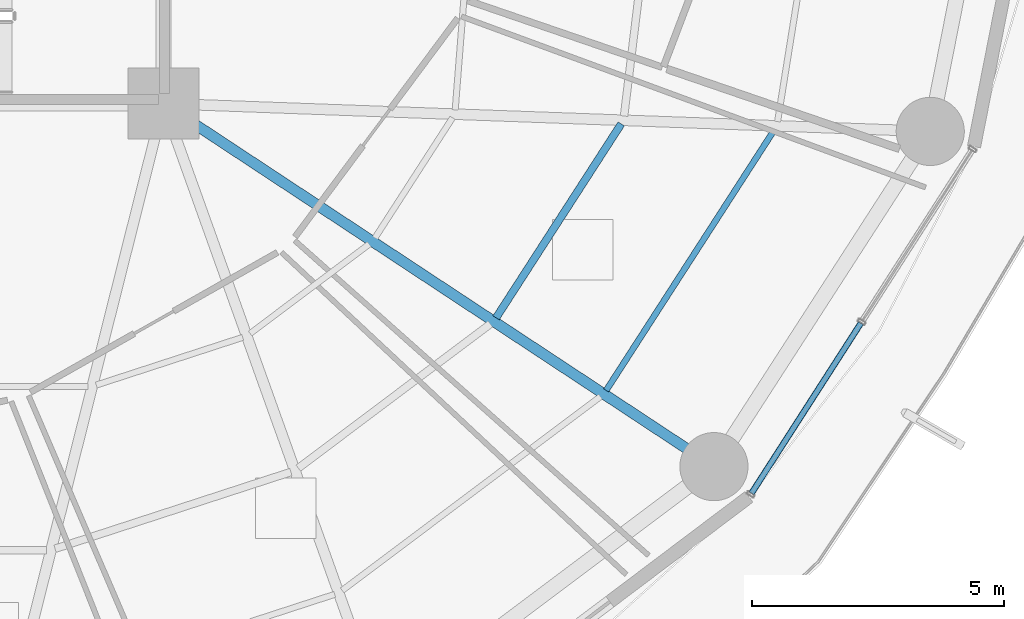
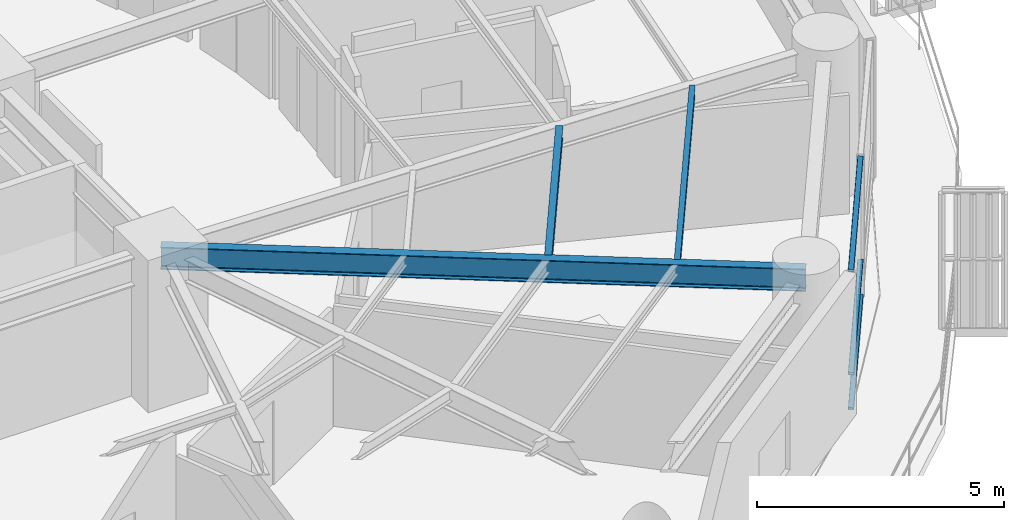
# One storey, part 12 of 35: 3 beams, 3 members, 1 element without a shape of its own.
"""IFC4 building model written with IfcOpenShell, lengths in metres."""

import ifcopenshell
import ifcopenshell.guid

model = None  # the IFC model being written
_history = None  # IfcOwnerHistory: only IFC2X3 demands one
_inside = {}  # id of a spatial element -> (the spatial element, [elements in it])
_under = {}  # id of a project, library or spatial element -> (it, [spatial elements below it])
_declared = {}  # id of a project -> (the project, [libraries it declares])
_typed = {}  # id of a type object -> (the type object, [elements of that type])
_made_of = {}  # id of a material, layer set ... -> (it, [elements and type objects made of it])


def new_model(schema):
    """Start an empty IFC model of exactly this schema.

    Asked for "IFC4X3", IfcOpenShell would pick the latest addendum, in which some entities
    have other attributes; the version numbers below select the first issue.
    IFC2X3 requires an IfcOwnerHistory on every rooted entity: one is made here for all.
    """
    global model, _history
    if schema == "IFC4X3":
        model = ifcopenshell.file(schema_version=(4, 3, 0, 0))
    else:
        model = ifcopenshell.file(schema=schema)
    _inside.clear()
    _under.clear()
    _declared.clear()
    _typed.clear()
    _made_of.clear()
    _history = None
    if model.schema == "IFC2X3":
        org = make("IfcOrganization", Name="unknown")
        user = make(
            "IfcPersonAndOrganization",
            ThePerson=make("IfcPerson", FamilyName="unknown"),
            TheOrganization=org,
        )
        app = make(
            "IfcApplication",
            ApplicationDeveloper=org,
            Version="unknown",
            ApplicationFullName="unknown",
            ApplicationIdentifier="unknown",
        )
        _history = make(
            "IfcOwnerHistory",
            OwningUser=user,
            OwningApplication=app,
            ChangeAction="ADDED",
            CreationDate=0,
        )
    return model


def make(cls, **values):
    """One entity of the class cls with the attributes given. An attribute that is None is left unset."""
    return model.create_entity(
        cls, **{name: value for name, value in values.items() if value is not None}
    )


def rooted(cls, **values):
    """An entity with a GlobalId (a new one), such as an element, a storey or a relation."""
    return make(cls, GlobalId=ifcopenshell.guid.new(), OwnerHistory=_history, **values)


def si_unit(unit_type, name, prefix=None):
    """IfcSIUnit, for example si_unit("LENGTHUNIT", "METRE", prefix="MILLI")."""
    return make("IfcSIUnit", UnitType=unit_type, Prefix=prefix, Name=name)


def assignment(units):
    """IfcUnitAssignment: the units of a project."""
    return None if units is None else make("IfcUnitAssignment", Units=units)


def point(xyz):
    """IfcCartesianPoint."""
    return None if xyz is None else make("IfcCartesianPoint", Coordinates=xyz)


def direction(xyz):
    """IfcDirection."""
    return None if xyz is None else make("IfcDirection", DirectionRatios=xyz)


def frame(location, z_axis=None, x_axis=None):
    """IfcAxis2Placement3D, a coordinate frame: its origin and axes. An axis left out is left unset."""
    return make(
        "IfcAxis2Placement3D",
        Location=point(location),
        Axis=direction(z_axis),
        RefDirection=direction(x_axis),
    )


def frame_2d(location, x_axis=None):
    """IfcAxis2Placement2D, a coordinate frame in the plane: its origin and x axis."""
    return make(
        "IfcAxis2Placement2D", Location=point(location), RefDirection=direction(x_axis)
    )


def origin():
    """The frame at (0, 0, 0) with its axes left unset."""
    return frame((0.0, 0.0, 0.0))


def origin_2d():
    """The frame at (0, 0) in the plane with its x axis left unset."""
    return frame_2d((0.0, 0.0))


def place(relative_to, where):
    """IfcLocalPlacement: puts the frame where relative to a parent placement (None: the world)."""
    return make(
        "IfcLocalPlacement", PlacementRelTo=relative_to, RelativePlacement=where
    )


def context(
    kind, dimensions, precision=None, world=None, true_north=None, identifier=None
):
    """IfcGeometricRepresentationContext, for example the 3D "Model" context."""
    return make(
        "IfcGeometricRepresentationContext",
        ContextIdentifier=identifier,
        ContextType=kind,
        CoordinateSpaceDimension=dimensions,
        Precision=precision,
        WorldCoordinateSystem=world,
        TrueNorth=true_north,
    )


def subcontext(parent, identifier, kind, view, scale=None):
    """IfcGeometricRepresentationSubContext, for example "Body" below "Model"."""
    return make(
        "IfcGeometricRepresentationSubContext",
        ContextIdentifier=identifier,
        ContextType=kind,
        ParentContext=parent,
        TargetScale=scale,
        TargetView=view,
    )


def project(units=None, contexts=None):
    """IfcProject with its units and contexts."""
    return rooted(
        "IfcProject",
        Name="project",
        RepresentationContexts=contexts,
        UnitsInContext=assignment(units),
    )


def spatial(cls, under=None, at=None, **own):
    """A site, building, storey or space (cls), placed at a placement, below another one or the project."""
    s = rooted(cls, ObjectPlacement=at, **own)
    if under is not None:
        _under.setdefault(under.id(), (under, []))[1].append(s)
    return s


def profile(cls, at=None, kind="AREA", **sizes):
    """A parametric profile (cls). Its sizes go by their IFC names, for example OverallWidth=200.0."""
    return make(cls, ProfileType=kind, Position=at, **sizes)


def hollow_rectangle(**sizes):
    """IfcRectangleHollowProfileDef."""
    return profile("IfcRectangleHollowProfileDef", **sizes)


def i_section(**sizes):
    """IfcIShapeProfileDef."""
    return profile("IfcIShapeProfileDef", **sizes)


def extrude(swept, where, along, depth):
    """IfcExtrudedAreaSolid: the profile swept, set in the frame where, extruded along a direction by depth."""
    return make(
        "IfcExtrudedAreaSolid",
        SweptArea=swept,
        Position=where,
        ExtrudedDirection=direction(along),
        Depth=depth,
    )


def shape(context_of_items, identifier, shape_type, items):
    """IfcShapeRepresentation: the items that make up one representation, for example the "Body"."""
    return make(
        "IfcShapeRepresentation",
        ContextOfItems=context_of_items,
        RepresentationIdentifier=identifier,
        RepresentationType=shape_type,
        Items=items,
    )


def material(Name=None, Category=None):
    """IfcMaterial."""
    return make("IfcMaterial", Name=Name, Category=Category)


def layer(
    of_material, thickness, ventilated=None, Name=None, Category=None, Priority=None
):
    """IfcMaterialLayer: one layer of a wall or slab, of a material (None: an air gap)."""
    return make(
        "IfcMaterialLayer",
        Material=of_material,
        LayerThickness=thickness,
        IsVentilated=ventilated,
        Name=Name,
        Category=Category,
        Priority=Priority,
    )


def layer_set(layers, Name=None):
    """IfcMaterialLayerSet."""
    return make("IfcMaterialLayerSet", MaterialLayers=layers, LayerSetName=Name)


def material_profile(
    of_material, cross_section, Name=None, Category=None, Priority=None
):
    """IfcMaterialProfile: a cross section and its material."""
    return make(
        "IfcMaterialProfile",
        Name=Name,
        Material=of_material,
        Profile=cross_section,
        Priority=Priority,
        Category=Category,
    )


def profile_set(profiles, Name=None, composite=None):
    """IfcMaterialProfileSet."""
    return make(
        "IfcMaterialProfileSet",
        Name=Name,
        MaterialProfiles=profiles,
        CompositeProfile=composite,
    )


def made_of(thing, what):
    """Note that an element or type object is made of a material, layer set ...; save() writes the relation."""
    if what is not None:
        _made_of.setdefault(what.id(), (what, []))[1].append(thing)
    return thing


def type_object(cls, material=None, **own):
    """A type object (cls), such as IfcWallType, which elements share."""
    return made_of(rooted(cls, **own), material)


def element(
    cls,
    number,
    at=None,
    inside=None,
    cuts=None,
    type_object=None,
    material=None,
    context=None,
    identifier="Body",
    shape_type=None,
    held_by="IfcProductDefinitionShape",
    body=None,
    shapes=None,
    **own,
):
    """One element of the class cls, such as IfcWall. Its Tag is "e" and its number.

    at: its placement. inside: the storey or other place that contains it. cuts: it is an
    opening in that element (IfcRelVoidsElement). A single representation is given by context,
    identifier, shape_type and body (its items); several are given by shapes. held_by: the class
    of the entity that holds the representations. save() writes the other relations.
    """
    e = rooted(cls, Tag="e%d" % number, ObjectPlacement=at, **own)
    if body is not None:
        shapes = [shape(context, identifier, shape_type, body)]
    if shapes is not None:
        e.Representation = make(held_by, Representations=shapes)
    if inside is not None:
        _inside.setdefault(inside.id(), (inside, []))[1].append(e)
    if cuts is not None:
        rooted(
            "IfcRelVoidsElement", RelatingBuildingElement=cuts, RelatedOpeningElement=e
        )
    if type_object is not None:
        _typed.setdefault(type_object.id(), (type_object, []))[1].append(e)
    return made_of(e, material)


def aggregate(whole, parts):
    """IfcRelAggregates: a whole, such as a stair, and the parts it consists of."""
    return rooted("IfcRelAggregates", RelatingObject=whole, RelatedObjects=parts)


def save(model, path):
    """Write the relations noted so far, then the file.

    IfcRelAggregates (storeys below a building ...), IfcRelContainedInSpatialStructure (elements
    in a storey), IfcRelDefinesByType, IfcRelAssociatesMaterial and IfcRelDeclares: one each for
    every whole, place, type object, material and project.
    """
    for whole, parts in _under.values():
        aggregate(whole, parts)
    for where, things in _inside.values():
        rooted(
            "IfcRelContainedInSpatialStructure",
            RelatedElements=things,
            RelatingStructure=where,
        )
    for kind, things in _typed.values():
        rooted("IfcRelDefinesByType", RelatedObjects=things, RelatingType=kind)
    for what, things in _made_of.values():
        rooted("IfcRelAssociatesMaterial", RelatedObjects=things, RelatingMaterial=what)
    for by, libraries in _declared.values():
        rooted("IfcRelDeclares", RelatingContext=by, RelatedDefinitions=libraries)
    model.write(path)


model = new_model("IFC4")

# Units and contexts
model_context = context("Model", 3, precision=1e-05, world=origin(), true_north=direction((0.0, 1.0)))
body_context = subcontext(model_context, "Body", "Model", "MODEL_VIEW")
ifc_project = project(units=[si_unit("LENGTHUNIT", "METRE"), si_unit("AREAUNIT", "SQUARE_METRE"), si_unit("VOLUMEUNIT", "CUBIC_METRE"), si_unit("PLANEANGLEUNIT", "RADIAN"), si_unit("MASSUNIT", "GRAM", prefix="KILO")], contexts=[model_context])

# Site, building, storey
site_placement = place(None, origin())
site = spatial("IfcSite", under=ifc_project, at=site_placement, CompositionType="ELEMENT")
building_placement = place(site_placement, origin())
building = spatial("IfcBuilding", under=site, at=building_placement, Name="Kelanora Arch Commons", CompositionType="ELEMENT")
storey_placement = place(building_placement, frame((0.0, 0.0, 87.60009765625)))
storey = spatial("IfcBuildingStorey", under=building, at=storey_placement, Name="L22", CompositionType="ELEMENT", Elevation=87.60009765625)

# Beams
ifc_material_1 = material(Name="Steel S355", Category="steel")
ifc_material_profile_1 = material_profile(ifc_material_1, i_section(OverallWidth=0.14990234375, OverallDepth=0.300048828125, WebThickness=0.007080078125, FlangeThickness=0.0107421875, FilletRadius=0.014892578125, at=origin_2d()), Name="IPE300")
ifc_profile_set_1 = profile_set([ifc_material_profile_1], Name="Steel S355")
beam_type_1 = type_object("IfcBeamType", Name="BM-JST-01", PredefinedType="JOIST", material=ifc_profile_set_1)
beam_1_placement = place(storey_placement, frame((88.589599609375, 46.755615234375, 3.33984375), z_axis=(0.542230243286, 0.840229946661, 0.0), x_axis=(-0.840229946661, 0.542230243286, 0.0)))
element("IfcBeam", 1, at=beam_1_placement, inside=storey, type_object=beam_type_1, Name="Secondary Chord Joist BJB-32 L22", PredefinedType="JOIST", context=body_context, shape_type="SweptSolid", body=[
    extrude(i_section(OverallWidth=0.14990234375, OverallDepth=0.300048828125, WebThickness=0.007080078125, FlangeThickness=0.0107421875, FilletRadius=0.014892578125, at=origin_2d()), origin(), (0.0, 0.0, 1.0), 4.572265625),
])
ifc_material_profile_2 = material_profile(ifc_material_1, i_section(OverallWidth=0.1201171875, OverallDepth=0.239990234375, WebThickness=0.006103515625, FlangeThickness=0.009765625, FilletRadius=0.014892578125, at=origin_2d()), Name="IPE240")
ifc_profile_set_2 = profile_set([ifc_material_profile_2], Name="Steel S355")
beam_type_2 = type_object("IfcBeamType", Name="BM-JST-02", PredefinedType="JOIST", material=ifc_profile_set_2)
beam_2_placement = place(storey_placement, frame((90.77099609375, 45.317138671875, 3.369873046875), z_axis=(0.542212726273, 0.840241250754, 0.0), x_axis=(-0.840241250754, 0.542212726273, 0.0)))
element("IfcBeam", 2, at=beam_2_placement, inside=storey, type_object=beam_type_2, Name="Secondary Chord Joist BJC-32 L22", PredefinedType="JOIST", context=body_context, shape_type="SweptSolid", body=[
    extrude(i_section(OverallWidth=0.1201171875, OverallDepth=0.239990234375, WebThickness=0.006103515625, FlangeThickness=0.009765625, FilletRadius=0.014892578125, at=origin_2d()), origin(), (0.0, 0.0, 1.0), 6.15283203125),
])
ifc_material_profile_3 = material_profile(ifc_material_1, i_section(OverallWidth=0.2099609375, OverallDepth=0.550048828125, WebThickness=0.010986328125, FlangeThickness=0.01708984375, FilletRadius=0.02392578125, at=origin_2d()), Name="IPE550")
ifc_profile_set_3 = profile_set([ifc_material_profile_3], Name="Steel S355")
beam_type_3 = type_object("IfcBeamType", Name="BM-RAD-Z2", PredefinedType="BEAM", material=ifc_profile_set_3)
beam_3_placement = place(storey_placement, frame((82.0, 51.0, 3.21484375), z_axis=(0.834788577908, -0.550570640512, 0.0), x_axis=(0.550570640512, 0.834788577908, 0.0)))
element("IfcBeam", 3, at=beam_3_placement, inside=storey, type_object=beam_type_3, Name="Radial Floor Girder BR-32 L22", PredefinedType="BEAM", context=body_context, shape_type="SweptSolid", body=[
    extrude(i_section(OverallWidth=0.2099609375, OverallDepth=0.550048828125, WebThickness=0.010986328125, FlangeThickness=0.01708984375, FilletRadius=0.02392578125, at=origin_2d()), origin(), (0.0, 0.0, 1.0), 13.064453125),
])

# Curtain wall, members
ifc_material_2 = material(Name="Terracotta ceramic-fritted low-E glass and aluminium", Category="masonry")
ifc_layer = layer(ifc_material_2, 0.159912109375)
ifc_layer_set = layer_set([ifc_layer], Name="Terracotta ceramic-fritted low-E glass and aluminium")
curtain_wall_type = type_object("IfcCurtainWallType", Name="CW-SYS-01", PredefinedType="NOTDEFINED", material=ifc_layer_set)
curtain_wall_placement = place(storey_placement, origin())
curtain_wall = element("IfcCurtainWall", 4, at=curtain_wall_placement, inside=storey, type_object=curtain_wall_type, Name="Unitised Curtain Wall L22-B16", PredefinedType="NOTDEFINED")
ifc_material_3 = material(Name="Powder-coated aluminium terracotta", Category="masonry")
ifc_material_profile_4 = material_profile(ifc_material_3, hollow_rectangle(XDim=0.1201171875, YDim=0.06005859375, WallThickness=0.0048828125, InnerFilletRadius=0.0048828125, OuterFilletRadius=0.010009765625, at=origin_2d()), Name="CWT120x60")
ifc_profile_set_4 = profile_set([ifc_material_profile_4], Name="Powder-coated aluminium terracotta")
member_type = type_object("IfcMemberType", Name="CWT-STD", PredefinedType="USERDEFINED", material=ifc_profile_set_4)
member_1_placement = place(storey_placement, frame((93.651123046875, 43.279052734375, 0.02978515625), z_axis=(0.540643629734, 0.841251725483, 0.0), x_axis=(-0.841251725483, 0.540643629734, 0.0)))
member_1 = element("IfcMember", 5, at=member_1_placement, type_object=member_type, Name="CW-01 transom 1.1", ObjectType="TRANSOM", PredefinedType="USERDEFINED", context=body_context, shape_type="SweptSolid", body=[
    extrude(hollow_rectangle(XDim=0.1201171875, YDim=0.06005859375, WallThickness=0.0048828125, InnerFilletRadius=0.0048828125, OuterFilletRadius=0.010009765625, at=origin_2d()), origin(), (0.0, 0.0, 1.0), 4.00634765625),
])
member_2_placement = place(storey_placement, frame((93.651123046875, 43.279052734375, 0.89990234375), z_axis=(0.540643629734, 0.841251725483, 0.0), x_axis=(-0.841251725483, 0.540643629734, 0.0)))
member_2 = element("IfcMember", 6, at=member_2_placement, type_object=member_type, Name="CW-01 transom 1.2", ObjectType="TRANSOM", PredefinedType="USERDEFINED", context=body_context, shape_type="SweptSolid", body=[
    extrude(hollow_rectangle(XDim=0.1201171875, YDim=0.06005859375, WallThickness=0.0048828125, InnerFilletRadius=0.0048828125, OuterFilletRadius=0.010009765625, at=origin_2d()), origin(), (0.0, 0.0, 1.0), 4.00634765625),
])
member_3_placement = place(storey_placement, frame((93.651123046875, 43.279052734375, 3.44482421875), z_axis=(0.540643629734, 0.841251725483, 0.0), x_axis=(-0.841251725483, 0.540643629734, 0.0)))
member_3 = element("IfcMember", 7, at=member_3_placement, type_object=member_type, Name="CW-01 transom 1.3", ObjectType="TRANSOM", PredefinedType="USERDEFINED", context=body_context, shape_type="SweptSolid", body=[
    extrude(hollow_rectangle(XDim=0.1201171875, YDim=0.06005859375, WallThickness=0.0048828125, InnerFilletRadius=0.0048828125, OuterFilletRadius=0.010009765625, at=origin_2d()), origin(), (0.0, 0.0, 1.0), 4.00634765625),
])
aggregate(curtain_wall, [member_1, member_2, member_3])

save(model, "model.ifc")
